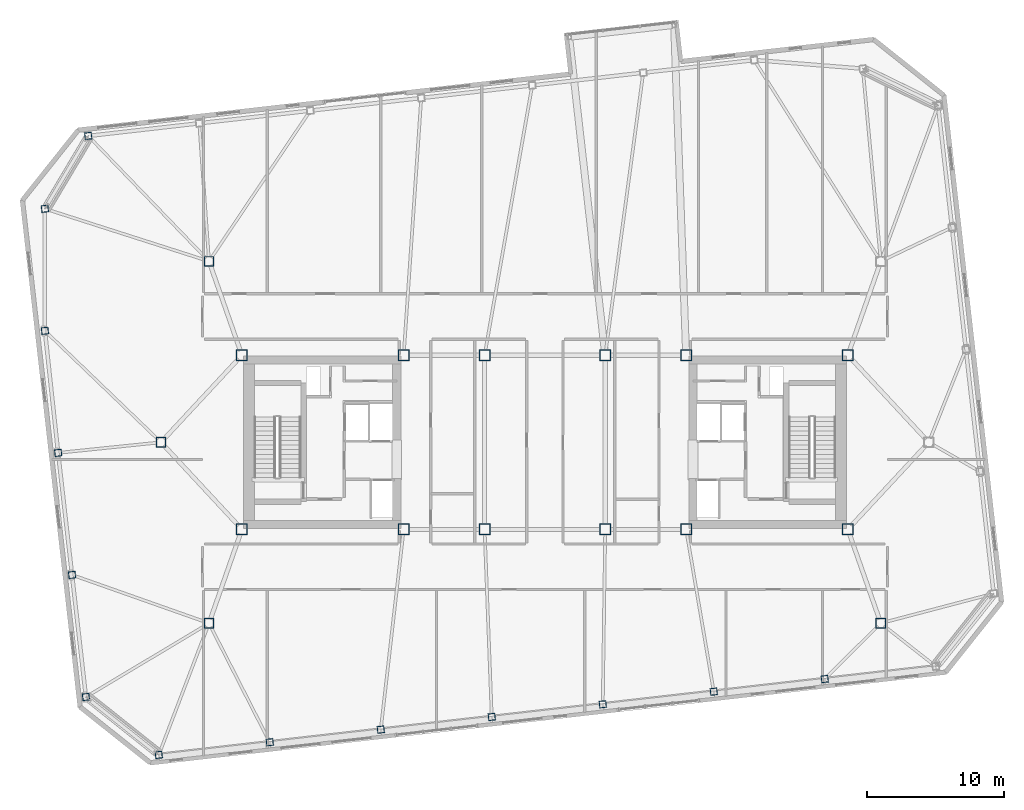
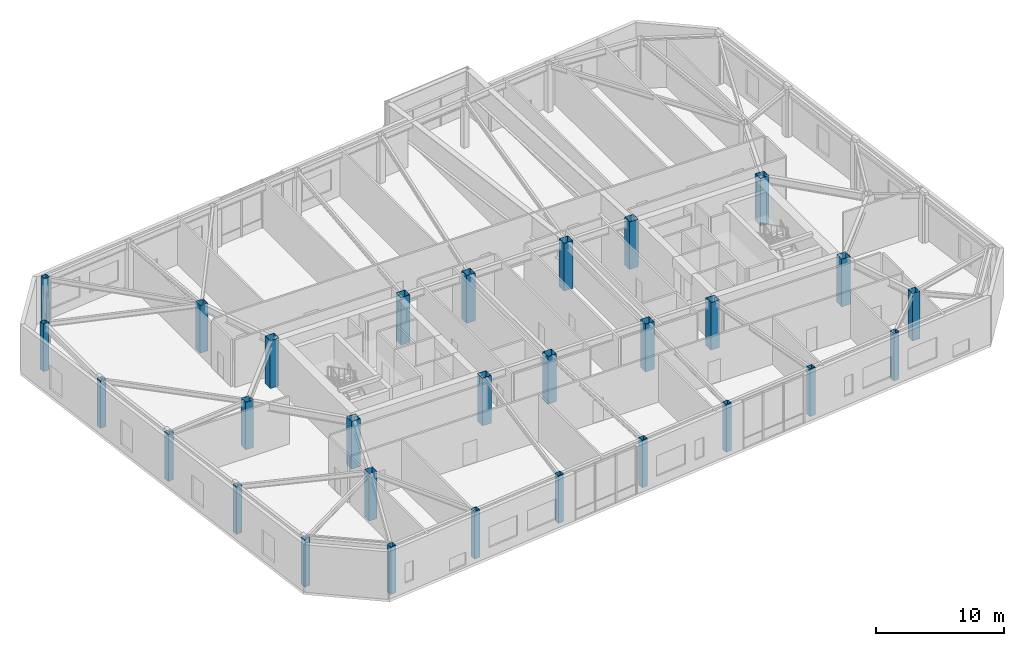
# One storey, part 1 of 21: 29 columns.
"""IFC4 building model written with IfcOpenShell, lengths in metres."""

from ifc_helpers import new_model, si_unit, direction, frame, origin, origin_2d, place, context, subcontext, project, spatial, hollow_rectangle, extrude, material, material_profile, profile_set, type_object, element, save


model = new_model("IFC4")

# Units and contexts
model_context = context("Model", 3, precision=1e-05, world=origin(), true_north=direction((0.0, 1.0)))
body_context = subcontext(model_context, "Body", "Model", "MODEL_VIEW")
ifc_project = project(units=[si_unit("LENGTHUNIT", "METRE"), si_unit("AREAUNIT", "SQUARE_METRE"), si_unit("VOLUMEUNIT", "CUBIC_METRE"), si_unit("PLANEANGLEUNIT", "RADIAN"), si_unit("MASSUNIT", "GRAM", prefix="KILO")], contexts=[model_context])

# Site, building, storey
site_placement = place(None, origin())
site = spatial("IfcSite", under=ifc_project, at=site_placement, CompositionType="ELEMENT")
building_placement = place(site_placement, origin())
building = spatial("IfcBuilding", under=site, at=building_placement, Name="Tavrogorsk Clinical Tower", CompositionType="ELEMENT")
storey_placement = place(building_placement, frame((0.0, 0.0, 238.199951171875)))
storey = spatial("IfcBuildingStorey", under=building, at=storey_placement, Name="L55", CompositionType="ELEMENT", Elevation=238.199951171875)

# Columns
ifc_material_1 = material(Name="Structural steel S440", Category="steel")
ifc_material_profile_1 = material_profile(ifc_material_1, hollow_rectangle(XDim=0.699951171875, YDim=0.699951171875, WallThickness=0.031982421875, at=origin_2d()), Name="BOX-700x700x32")
ifc_profile_set_1 = profile_set([ifc_material_profile_1], Name="Structural steel S440")
column_type_1 = type_object("IfcColumnType", Name="MegaCol_BOX700", PredefinedType="COLUMN", material=ifc_profile_set_1)
for number, where, z_axis, x_axis, name in (
    (1, (-24.5, -13.199951171875, 0.0), (0.0, 0.0, 1.0), (1.0, 0.0, 0.0), "L55 Spine Pilotis Column MC-P1"),
    (2, (24.5, -13.199951171875, 0.0), (0.0, 0.0, 1.0), (1.0, 0.0, 0.0), "L55 Spine Pilotis Column MC-P2"),
    (3, (-24.5, 13.199951171875, 0.0), (0.0, 0.0, 1.0), (1.0, 0.0, 0.0), "L55 Spine Pilotis Column MC-P3"),
    (4, (-28.0, 0.0, 0.0), (0.0, 0.0, 1.0), (1.0, 0.0, 0.0), "L55 Spine Pilotis Column MC-P5"),
):
    element("IfcColumn", number, at=place(storey_placement, frame(where, z_axis=z_axis, x_axis=x_axis)), inside=storey, type_object=column_type_1, Name=name, PredefinedType="COLUMN", context=body_context, shape_type="SweptSolid", body=[
        extrude(hollow_rectangle(XDim=0.699951171875, YDim=0.699951171875, WallThickness=0.031982421875, at=origin_2d()), origin(), (0.0, 0.0, 1.0), 4.5400390625),
    ])
ifc_material_2 = material(Name="Structural steel S440", Category="steel")
ifc_material_profile_2 = material_profile(ifc_material_2, hollow_rectangle(XDim=0.800048828125, YDim=0.800048828125, WallThickness=0.035888671875, at=origin_2d()), Name="BOX-800x800x36")
ifc_profile_set_2 = profile_set([ifc_material_profile_2], Name="Structural steel S440")
column_type_2 = type_object("IfcColumnType", Name="MegaCol_BOX800", PredefinedType="COLUMN", material=ifc_profile_set_2)
for number, where, z_axis, x_axis, name in (
    (5, (-22.10009765625, -6.35009765625, 0.0), (0.0, 0.0, 1.0), (1.0, 0.0, 0.0), "L55 Mega Column MC-W1"),
    (6, (-22.10009765625, 6.35009765625, 0.0), (0.0, 0.0, 1.0), (1.0, 0.0, 0.0), "L55 Mega Column MC-W2"),
    (7, (-10.300048828125, -6.35009765625, 0.0), (0.0, 0.0, 1.0), (1.0, 0.0, 0.0), "L55 Mega Column MC-W3"),
    (8, (-10.300048828125, 6.35009765625, 0.0), (0.0, 0.0, 1.0), (1.0, 0.0, 0.0), "L55 Mega Column MC-W4"),
    (9, (10.300048828125, -6.35009765625, 0.0), (0.0, 0.0, 1.0), (1.0, 0.0, 0.0), "L55 Mega Column MC-E1"),
    (10, (10.300048828125, 6.35009765625, 0.0), (0.0, 0.0, 1.0), (1.0, 0.0, 0.0), "L55 Mega Column MC-E2"),
    (11, (22.10009765625, -6.35009765625, 0.0), (0.0, 0.0, 1.0), (1.0, 0.0, 0.0), "L55 Mega Column MC-E3"),
    (12, (22.10009765625, 6.35009765625, 0.0), (0.0, 0.0, 1.0), (1.0, 0.0, 0.0), "L55 Mega Column MC-E4"),
    (13, (-4.39990234375, -6.35009765625, 0.0), (0.0, 0.0, 1.0), (1.0, 0.0, 0.0), "L55 Mega Column MC-C1"),
    (14, (4.39990234375, -6.35009765625, 0.0), (0.0, 0.0, 1.0), (1.0, 0.0, 0.0), "L55 Mega Column MC-C2"),
    (15, (-4.39990234375, 6.35009765625, 0.0), (0.0, 0.0, 1.0), (1.0, 0.0, 0.0), "L55 Mega Column MC-C3"),
    (16, (4.39990234375, 6.35009765625, 0.0), (0.0, 0.0, 1.0), (1.0, 0.0, 0.0), "L55 Mega Column MC-C4"),
):
    element("IfcColumn", number, at=place(storey_placement, frame(where, z_axis=z_axis, x_axis=x_axis)), inside=storey, type_object=column_type_2, Name=name, PredefinedType="COLUMN", context=body_context, shape_type="SweptSolid", body=[
        extrude(hollow_rectangle(XDim=0.800048828125, YDim=0.800048828125, WallThickness=0.035888671875, at=origin_2d()), origin(), (0.0, 0.0, 1.0), 4.5400390625),
    ])
ifc_material_3 = material(Name="Structural steel S440", Category="steel")
ifc_material_profile_3 = material_profile(ifc_material_3, hollow_rectangle(XDim=0.5, YDim=0.5, WallThickness=0.02490234375, at=origin_2d()), Name="BOX-500x500x25")
ifc_profile_set_3 = profile_set([ifc_material_profile_3], Name="Structural steel S440")
column_type_3 = type_object("IfcColumnType", Name="PerimCol_B4_BOX500", PredefinedType="COLUMN", material=ifc_profile_set_3)
for number, where, z_axis, x_axis, name in (
    (17, (-28.164794921875, -22.802490234375, 0.0), (0.0, 0.0, 1.0), (0.993571855677, 0.113203213768, 0.0), "L55 Perimeter Column S1"),
    (18, (-20.068603515625, -21.880126953125, 0.0), (0.0, 0.0, 1.0), (0.993571855677, 0.113203213768, 0.0), "L55 Perimeter Column S2"),
    (19, (-11.972412109375, -20.95751953125, 0.0), (0.0, 0.0, 1.0), (0.993571855677, 0.113203213768, 0.0), "L55 Perimeter Column S3"),
    (20, (-3.876220703125, -20.03515625, 0.0), (0.0, 0.0, 1.0), (0.993571855677, 0.113203213768, 0.0), "L55 Perimeter Column S4"),
    (21, (4.22021484375, -19.11279296875, 0.0), (0.0, 0.0, 1.0), (0.993571855677, 0.113203213768, 0.0), "L55 Perimeter Column S5"),
    (22, (12.31640625, -18.190185546875, 0.0), (0.0, 0.0, 1.0), (0.993571855677, 0.113203213768, 0.0), "L55 Perimeter Column S6"),
    (23, (20.412353515625, -17.267822265625, 0.0), (0.0, 0.0, 1.0), (0.993571855677, 0.113203213768, 0.0), "L55 Perimeter Column S7"),
    (24, (-33.30859375, 22.345458984375, 0.0), (0.0, 0.0, 1.0), (0.993571855677, 0.113203213768, 0.0), "L55 Perimeter Column N8"),
    (25, (-36.469970703125, 17.032958984375, 0.0), (0.0, 0.0, 1.0), (0.993571855677, 0.113203213768, 0.0), "L55 Perimeter Column W1"),
    (26, (-36.469970703125, 8.130615234375, 0.0), (0.0, 0.0, 1.0), (0.993571855677, 0.113203213768, 0.0), "L55 Perimeter Column W2"),
    (27, (-35.505859375, -0.77197265625, 0.0), (0.0, 0.0, 1.0), (0.993571855677, 0.113203213768, 0.0), "L55 Perimeter Column W3"),
    (28, (-34.491455078125, -9.67431640625, 0.0), (0.0, 0.0, 1.0), (0.993571855677, 0.113203213768, 0.0), "L55 Perimeter Column W4"),
    (29, (-33.477294921875, -18.57666015625, 0.0), (0.0, 0.0, 1.0), (0.993571855677, 0.113203213768, 0.0), "L55 Perimeter Column W5"),
):
    element("IfcColumn", number, at=place(storey_placement, frame(where, z_axis=z_axis, x_axis=x_axis)), inside=storey, type_object=column_type_3, Name=name, PredefinedType="COLUMN", context=body_context, shape_type="SweptSolid", body=[
        extrude(hollow_rectangle(XDim=0.5, YDim=0.5, WallThickness=0.02490234375, at=origin_2d()), origin(), (0.0, 0.0, 1.0), 4.5400390625),
    ])

save(model, "model.ifc")
